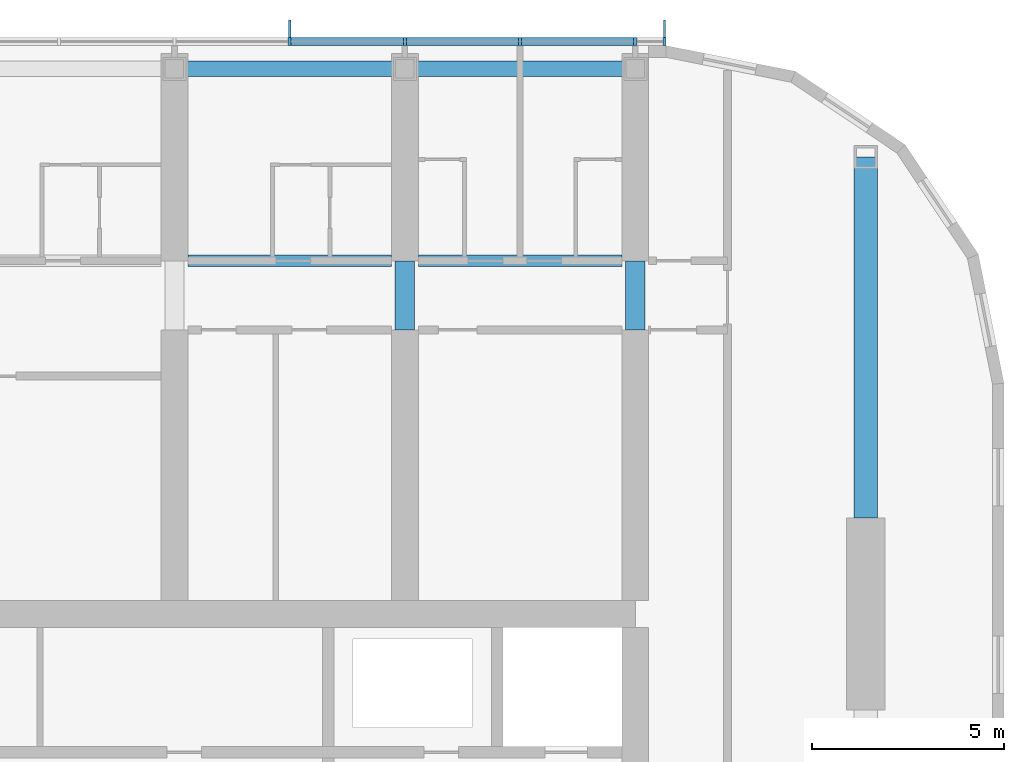
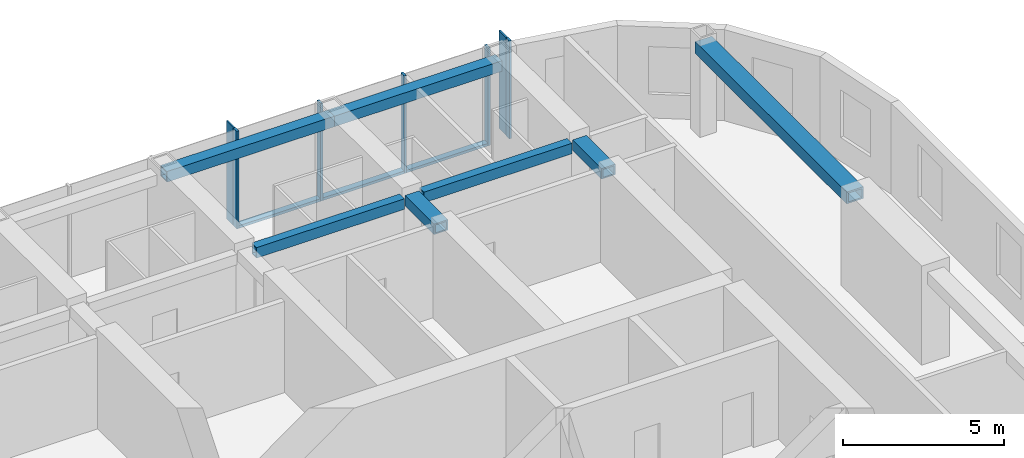
# One storey, part 5 of 23: 10 members, 7 beams, 1 element without a shape of its own.
"""IFC4 building model written with IfcOpenShell, lengths in metres."""

import ifcopenshell
import ifcopenshell.guid

model = None  # the IFC model being written
_history = None  # IfcOwnerHistory: only IFC2X3 demands one
_inside = {}  # id of a spatial element -> (the spatial element, [elements in it])
_under = {}  # id of a project, library or spatial element -> (it, [spatial elements below it])
_declared = {}  # id of a project -> (the project, [libraries it declares])
_typed = {}  # id of a type object -> (the type object, [elements of that type])
_made_of = {}  # id of a material, layer set ... -> (it, [elements and type objects made of it])


def new_model(schema):
    """Start an empty IFC model of exactly this schema.

    Asked for "IFC4X3", IfcOpenShell would pick the latest addendum, in which some entities
    have other attributes; the version numbers below select the first issue.
    IFC2X3 requires an IfcOwnerHistory on every rooted entity: one is made here for all.
    """
    global model, _history
    if schema == "IFC4X3":
        model = ifcopenshell.file(schema_version=(4, 3, 0, 0))
    else:
        model = ifcopenshell.file(schema=schema)
    _inside.clear()
    _under.clear()
    _declared.clear()
    _typed.clear()
    _made_of.clear()
    _history = None
    if model.schema == "IFC2X3":
        org = make("IfcOrganization", Name="unknown")
        user = make(
            "IfcPersonAndOrganization",
            ThePerson=make("IfcPerson", FamilyName="unknown"),
            TheOrganization=org,
        )
        app = make(
            "IfcApplication",
            ApplicationDeveloper=org,
            Version="unknown",
            ApplicationFullName="unknown",
            ApplicationIdentifier="unknown",
        )
        _history = make(
            "IfcOwnerHistory",
            OwningUser=user,
            OwningApplication=app,
            ChangeAction="ADDED",
            CreationDate=0,
        )
    return model


def make(cls, **values):
    """One entity of the class cls with the attributes given. An attribute that is None is left unset."""
    return model.create_entity(
        cls, **{name: value for name, value in values.items() if value is not None}
    )


def rooted(cls, **values):
    """An entity with a GlobalId (a new one), such as an element, a storey or a relation."""
    return make(cls, GlobalId=ifcopenshell.guid.new(), OwnerHistory=_history, **values)


def si_unit(unit_type, name, prefix=None):
    """IfcSIUnit, for example si_unit("LENGTHUNIT", "METRE", prefix="MILLI")."""
    return make("IfcSIUnit", UnitType=unit_type, Prefix=prefix, Name=name)


def assignment(units):
    """IfcUnitAssignment: the units of a project."""
    return None if units is None else make("IfcUnitAssignment", Units=units)


def point(xyz):
    """IfcCartesianPoint."""
    return None if xyz is None else make("IfcCartesianPoint", Coordinates=xyz)


def direction(xyz):
    """IfcDirection."""
    return None if xyz is None else make("IfcDirection", DirectionRatios=xyz)


def frame(location, z_axis=None, x_axis=None):
    """IfcAxis2Placement3D, a coordinate frame: its origin and axes. An axis left out is left unset."""
    return make(
        "IfcAxis2Placement3D",
        Location=point(location),
        Axis=direction(z_axis),
        RefDirection=direction(x_axis),
    )


def frame_2d(location, x_axis=None):
    """IfcAxis2Placement2D, a coordinate frame in the plane: its origin and x axis."""
    return make(
        "IfcAxis2Placement2D", Location=point(location), RefDirection=direction(x_axis)
    )


def origin():
    """The frame at (0, 0, 0) with its axes left unset."""
    return frame((0.0, 0.0, 0.0))


def origin_2d():
    """The frame at (0, 0) in the plane with its x axis left unset."""
    return frame_2d((0.0, 0.0))


def place(relative_to, where):
    """IfcLocalPlacement: puts the frame where relative to a parent placement (None: the world)."""
    return make(
        "IfcLocalPlacement", PlacementRelTo=relative_to, RelativePlacement=where
    )


def context(
    kind, dimensions, precision=None, world=None, true_north=None, identifier=None
):
    """IfcGeometricRepresentationContext, for example the 3D "Model" context."""
    return make(
        "IfcGeometricRepresentationContext",
        ContextIdentifier=identifier,
        ContextType=kind,
        CoordinateSpaceDimension=dimensions,
        Precision=precision,
        WorldCoordinateSystem=world,
        TrueNorth=true_north,
    )


def subcontext(parent, identifier, kind, view, scale=None):
    """IfcGeometricRepresentationSubContext, for example "Body" below "Model"."""
    return make(
        "IfcGeometricRepresentationSubContext",
        ContextIdentifier=identifier,
        ContextType=kind,
        ParentContext=parent,
        TargetScale=scale,
        TargetView=view,
    )


def project(units=None, contexts=None):
    """IfcProject with its units and contexts."""
    return rooted(
        "IfcProject",
        Name="project",
        RepresentationContexts=contexts,
        UnitsInContext=assignment(units),
    )


def spatial(cls, under=None, at=None, **own):
    """A site, building, storey or space (cls), placed at a placement, below another one or the project."""
    s = rooted(cls, ObjectPlacement=at, **own)
    if under is not None:
        _under.setdefault(under.id(), (under, []))[1].append(s)
    return s


def profile(cls, at=None, kind="AREA", **sizes):
    """A parametric profile (cls). Its sizes go by their IFC names, for example OverallWidth=200.0."""
    return make(cls, ProfileType=kind, Position=at, **sizes)


def rectangle(**sizes):
    """IfcRectangleProfileDef."""
    return profile("IfcRectangleProfileDef", **sizes)


def hollow_rectangle(**sizes):
    """IfcRectangleHollowProfileDef."""
    return profile("IfcRectangleHollowProfileDef", **sizes)


def extrude(swept, where, along, depth):
    """IfcExtrudedAreaSolid: the profile swept, set in the frame where, extruded along a direction by depth."""
    return make(
        "IfcExtrudedAreaSolid",
        SweptArea=swept,
        Position=where,
        ExtrudedDirection=direction(along),
        Depth=depth,
    )


def shape(context_of_items, identifier, shape_type, items):
    """IfcShapeRepresentation: the items that make up one representation, for example the "Body"."""
    return make(
        "IfcShapeRepresentation",
        ContextOfItems=context_of_items,
        RepresentationIdentifier=identifier,
        RepresentationType=shape_type,
        Items=items,
    )


def material(Name=None, Category=None):
    """IfcMaterial."""
    return make("IfcMaterial", Name=Name, Category=Category)


def material_profile(
    of_material, cross_section, Name=None, Category=None, Priority=None
):
    """IfcMaterialProfile: a cross section and its material."""
    return make(
        "IfcMaterialProfile",
        Name=Name,
        Material=of_material,
        Profile=cross_section,
        Priority=Priority,
        Category=Category,
    )


def profile_set(profiles, Name=None, composite=None):
    """IfcMaterialProfileSet."""
    return make(
        "IfcMaterialProfileSet",
        Name=Name,
        MaterialProfiles=profiles,
        CompositeProfile=composite,
    )


def made_of(thing, what):
    """Note that an element or type object is made of a material, layer set ...; save() writes the relation."""
    if what is not None:
        _made_of.setdefault(what.id(), (what, []))[1].append(thing)
    return thing


def type_object(cls, material=None, **own):
    """A type object (cls), such as IfcWallType, which elements share."""
    return made_of(rooted(cls, **own), material)


def element(
    cls,
    number,
    at=None,
    inside=None,
    cuts=None,
    type_object=None,
    material=None,
    context=None,
    identifier="Body",
    shape_type=None,
    held_by="IfcProductDefinitionShape",
    body=None,
    shapes=None,
    **own,
):
    """One element of the class cls, such as IfcWall. Its Tag is "e" and its number.

    at: its placement. inside: the storey or other place that contains it. cuts: it is an
    opening in that element (IfcRelVoidsElement). A single representation is given by context,
    identifier, shape_type and body (its items); several are given by shapes. held_by: the class
    of the entity that holds the representations. save() writes the other relations.
    """
    e = rooted(cls, Tag="e%d" % number, ObjectPlacement=at, **own)
    if body is not None:
        shapes = [shape(context, identifier, shape_type, body)]
    if shapes is not None:
        e.Representation = make(held_by, Representations=shapes)
    if inside is not None:
        _inside.setdefault(inside.id(), (inside, []))[1].append(e)
    if cuts is not None:
        rooted(
            "IfcRelVoidsElement", RelatingBuildingElement=cuts, RelatedOpeningElement=e
        )
    if type_object is not None:
        _typed.setdefault(type_object.id(), (type_object, []))[1].append(e)
    return made_of(e, material)


def aggregate(whole, parts):
    """IfcRelAggregates: a whole, such as a stair, and the parts it consists of."""
    return rooted("IfcRelAggregates", RelatingObject=whole, RelatedObjects=parts)


def save(model, path):
    """Write the relations noted so far, then the file.

    IfcRelAggregates (storeys below a building ...), IfcRelContainedInSpatialStructure (elements
    in a storey), IfcRelDefinesByType, IfcRelAssociatesMaterial and IfcRelDeclares: one each for
    every whole, place, type object, material and project.
    """
    for whole, parts in _under.values():
        aggregate(whole, parts)
    for where, things in _inside.values():
        rooted(
            "IfcRelContainedInSpatialStructure",
            RelatedElements=things,
            RelatingStructure=where,
        )
    for kind, things in _typed.values():
        rooted("IfcRelDefinesByType", RelatedObjects=things, RelatingType=kind)
    for what, things in _made_of.values():
        rooted("IfcRelAssociatesMaterial", RelatedObjects=things, RelatingMaterial=what)
    for by, libraries in _declared.values():
        rooted("IfcRelDeclares", RelatingContext=by, RelatedDefinitions=libraries)
    model.write(path)


model = new_model("IFC4")

# Units and contexts
model_context = context("Model", 3, precision=1e-05, world=origin(), true_north=direction((0.0, 1.0)))
body_context = subcontext(model_context, "Body", "Model", "MODEL_VIEW")
ifc_project = project(units=[si_unit("LENGTHUNIT", "METRE"), si_unit("AREAUNIT", "SQUARE_METRE"), si_unit("VOLUMEUNIT", "CUBIC_METRE"), si_unit("PLANEANGLEUNIT", "RADIAN"), si_unit("MASSUNIT", "GRAM", prefix="KILO")], contexts=[model_context])

# Site, building, storey
site_placement = place(None, origin())
site = spatial("IfcSite", under=ifc_project, at=site_placement, CompositionType="ELEMENT")
building_placement = place(site_placement, origin())
building = spatial("IfcBuilding", under=site, at=building_placement, Name="Orbita Commons", CompositionType="ELEMENT")
storey_placement = place(building_placement, frame((0.0, 0.0, 254.050048828125)))
storey = spatial("IfcBuildingStorey", under=building, at=storey_placement, Name="L63", CompositionType="ELEMENT", Elevation=254.050048828125)

# Curtain wall, members
ifc_material_1 = material(Name="Anodised aluminium frame, pale silver", Category="aluminium")
curtain_wall_type = type_object("IfcCurtainWallType", Name="Unitised curtain wall CW-U, full-height vision", PredefinedType="NOTDEFINED", material=ifc_material_1)
curtain_wall_placement = place(storey_placement, origin())
curtain_wall = element("IfcCurtainWall", 1, at=curtain_wall_placement, inside=storey, type_object=curtain_wall_type, Name="Curtain wall north L63", PredefinedType="NOTDEFINED")
ifc_material_2 = material(Name="Anodised aluminium, pale silver", Category="aluminium")
ifc_material_profile_1 = material_profile(ifc_material_2, rectangle(XDim=0.080078125, YDim=0.219970703125, at=origin_2d()), Name="AL 80x220")
ifc_profile_set_1 = profile_set([ifc_material_profile_1], Name="Anodised aluminium, pale silver")
member_type_1 = type_object("IfcMemberType", Name="Curtain wall mullion 80x220", PredefinedType="MULLION", material=ifc_profile_set_1)
member_1_placement = place(storey_placement, frame((66.760009765625, 53.110107421875, -0.25), z_axis=(0.0, 0.0, 1.0), x_axis=(-1.0, 0.0, 0.0)))
member_1 = element("IfcMember", 2, at=member_1_placement, type_object=member_type_1, Name="Mullion 1 CW-L63-N", PredefinedType="MULLION", context=body_context, shape_type="SweptSolid", body=[
    extrude(rectangle(XDim=0.080078125, YDim=0.219970703125, at=origin_2d()), origin(), (0.0, 0.0, 1.0), 3.699951171875),
])
member_2_placement = place(storey_placement, frame((66.0, 53.110107421875, -0.25), z_axis=(0.0, 0.0, 1.0), x_axis=(-1.0, 0.0, 0.0)))
member_2 = element("IfcMember", 3, at=member_2_placement, type_object=member_type_1, Name="Mullion 2 CW-L63-N", PredefinedType="MULLION", context=body_context, shape_type="SweptSolid", body=[
    extrude(rectangle(XDim=0.080078125, YDim=0.219970703125, at=origin_2d()), origin(), (0.0, 0.0, 1.0), 3.699951171875),
])
member_3_placement = place(storey_placement, frame((63.0, 53.110107421875, -0.25), z_axis=(0.0, 0.0, 1.0), x_axis=(-1.0, 0.0, 0.0)))
member_3 = element("IfcMember", 4, at=member_3_placement, type_object=member_type_1, Name="Mullion 3 CW-L63-N", PredefinedType="MULLION", context=body_context, shape_type="SweptSolid", body=[
    extrude(rectangle(XDim=0.080078125, YDim=0.219970703125, at=origin_2d()), origin(), (0.0, 0.0, 1.0), 3.699951171875),
])
member_4_placement = place(storey_placement, frame((60.0, 53.110107421875, -0.25), z_axis=(0.0, 0.0, 1.0), x_axis=(-1.0, 0.0, 0.0)))
member_4 = element("IfcMember", 5, at=member_4_placement, type_object=member_type_1, Name="Mullion 4 CW-L63-N", PredefinedType="MULLION", context=body_context, shape_type="SweptSolid", body=[
    extrude(rectangle(XDim=0.080078125, YDim=0.219970703125, at=origin_2d()), origin(), (0.0, 0.0, 1.0), 3.699951171875),
])
member_5_placement = place(storey_placement, frame((57.0, 53.110107421875, -0.25), z_axis=(0.0, 0.0, 1.0), x_axis=(-1.0, 0.0, 0.0)))
member_5 = element("IfcMember", 6, at=member_5_placement, type_object=member_type_1, Name="Mullion 5 CW-L63-N", PredefinedType="MULLION", context=body_context, shape_type="SweptSolid", body=[
    extrude(rectangle(XDim=0.080078125, YDim=0.219970703125, at=origin_2d()), origin(), (0.0, 0.0, 1.0), 3.699951171875),
])
ifc_material_3 = material(Name="Anodised aluminium, pale silver", Category="aluminium")
ifc_material_profile_2 = material_profile(ifc_material_3, rectangle(XDim=0.219970703125, YDim=0.10009765625, at=origin_2d()), Name="AL 220x100")
ifc_profile_set_2 = profile_set([ifc_material_profile_2], Name="Anodised aluminium, pale silver")
member_type_2 = type_object("IfcMemberType", Name="Curtain wall stack transom 220x100", PredefinedType="USERDEFINED", material=ifc_profile_set_2)
member_6_placement = place(storey_placement, frame((65.9599609375, 53.110107421875, -0.199951171875), z_axis=(-1.0, 0.0, 0.0), x_axis=(0.0, -1.0, 0.0)))
member_6 = element("IfcMember", 7, at=member_6_placement, type_object=member_type_2, Name="Transom 2.1 CW-L63-N", ObjectType="TRANSOM", PredefinedType="USERDEFINED", context=body_context, shape_type="SweptSolid", body=[
    extrude(rectangle(XDim=0.219970703125, YDim=0.10009765625, at=origin_2d()), origin(), (0.0, 0.0, 1.0), 2.919921875),
])
member_7_placement = place(storey_placement, frame((62.9599609375, 53.110107421875, -0.199951171875), z_axis=(-1.0, 0.0, 0.0), x_axis=(0.0, -1.0, 0.0)))
member_7 = element("IfcMember", 8, at=member_7_placement, type_object=member_type_2, Name="Transom 3.1 CW-L63-N", ObjectType="TRANSOM", PredefinedType="USERDEFINED", context=body_context, shape_type="SweptSolid", body=[
    extrude(rectangle(XDim=0.219970703125, YDim=0.10009765625, at=origin_2d()), origin(), (0.0, 0.0, 1.0), 2.919921875),
])
member_8_placement = place(storey_placement, frame((59.9599609375, 53.110107421875, -0.199951171875), z_axis=(-1.0, 0.0, 0.0), x_axis=(0.0, -1.0, 0.0)))
member_8 = element("IfcMember", 9, at=member_8_placement, type_object=member_type_2, Name="Transom 4.1 CW-L63-N", ObjectType="TRANSOM", PredefinedType="USERDEFINED", context=body_context, shape_type="SweptSolid", body=[
    extrude(rectangle(XDim=0.219970703125, YDim=0.10009765625, at=origin_2d()), origin(), (0.0, 0.0, 1.0), 2.919921875),
])

# Beams
ifc_material_4 = material(Name="Steel ASTM A572 Gr 50 welded plate", Category="steel")
ifc_material_profile_3 = material_profile(ifc_material_4, hollow_rectangle(XDim=0.300048828125, YDim=0.39990234375, WallThickness=0.0400390625, at=origin_2d()), Name="BOX 400x300x40")
ifc_profile_set_3 = profile_set([ifc_material_profile_3], Name="Steel ASTM A572 Gr 50 welded plate")
beam_type_1 = type_object("IfcBeamType", Name="Steel corridor link BOX 400x300x40", PredefinedType="BEAM", material=ifc_profile_set_3)
for number, where, z_axis, x_axis, name in (
    (10, (54.35009765625, 47.39990234375, 3.25), (1.0, 0.0, 0.0), (0.0, 1.0, 0.0), "Corridor beam NB 10-11 L63"),
    (11, (60.35009765625, 47.39990234375, 3.25), (1.0, 0.0, 0.0), (0.0, 1.0, 0.0), "Corridor beam NB 11-12 L63"),
):
    element("IfcBeam", number, at=place(storey_placement, frame(where, z_axis=z_axis, x_axis=x_axis)), inside=storey, type_object=beam_type_1, Name=name, PredefinedType="BEAM", context=body_context, shape_type="SweptSolid", body=[
        extrude(hollow_rectangle(XDim=0.300048828125, YDim=0.39990234375, WallThickness=0.0400390625, at=origin_2d()), origin(), (0.0, 0.0, 1.0), 5.2998046875),
    ])
ifc_material_5 = material(Name="Steel ASTM A572 Gr 50 welded plate", Category="steel")
ifc_material_profile_4 = material_profile(ifc_material_5, hollow_rectangle(XDim=0.5, YDim=0.39990234375, WallThickness=0.050048828125, at=origin_2d()), Name="BOX 400x500x50")
ifc_profile_set_4 = profile_set([ifc_material_profile_4], Name="Steel ASTM A572 Gr 50 welded plate")
beam_type_2 = type_object("IfcBeamType", Name="Steel coupling link BOX 400x500x50", PredefinedType="LINTEL", material=ifc_profile_set_4)
for number, where, z_axis, x_axis, name in (
    (12, (60.0, 45.60009765625, 3.25), (0.0, 1.0, 0.0), (-1.0, 0.0, 0.0), "Coupling beam 11 north L63"),
    (13, (66.0, 45.60009765625, 3.25), (0.0, 1.0, 0.0), (-1.0, 0.0, 0.0), "Coupling beam 12 north L63"),
):
    element("IfcBeam", number, at=place(storey_placement, frame(where, z_axis=z_axis, x_axis=x_axis)), inside=storey, type_object=beam_type_2, Name=name, PredefinedType="LINTEL", context=body_context, shape_type="SweptSolid", body=[
        extrude(hollow_rectangle(XDim=0.5, YDim=0.39990234375, WallThickness=0.050048828125, at=origin_2d()), origin(), (0.0, 0.0, 1.0), 1.7998046875),
    ])
ifc_material_6 = material(Name="Steel ASTM A572 Gr 50 welded plate", Category="steel")
ifc_material_profile_5 = material_profile(ifc_material_6, hollow_rectangle(XDim=0.60009765625, YDim=0.449951171875, WallThickness=0.06005859375, at=origin_2d()), Name="BOX 450x600x60")
ifc_profile_set_5 = profile_set([ifc_material_profile_5], Name="Steel ASTM A572 Gr 50 welded plate")
beam_type_3 = type_object("IfcBeamType", Name="Steel end frame link BOX 450x600x60", PredefinedType="BEAM", material=ifc_profile_set_5)
beam_placement = place(storey_placement, frame((72.0, 40.699951171875, 3.224853515625), z_axis=(0.0, 1.0, 0.0), x_axis=(-1.0, 0.0, 0.0)))
element("IfcBeam", 14, at=beam_placement, inside=storey, type_object=beam_type_3, Name="End frame beam 13 D-E L63", PredefinedType="BEAM", context=body_context, shape_type="SweptSolid", body=[
    extrude(hollow_rectangle(XDim=0.60009765625, YDim=0.449951171875, WallThickness=0.06005859375, at=origin_2d()), origin(), (0.0, 0.0, 1.0), 9.400146484375),
])
ifc_material_7 = material(Name="Steel ASTM A572 Gr 50 welded plate", Category="steel")
ifc_material_profile_6 = material_profile(ifc_material_7, hollow_rectangle(XDim=0.39990234375, YDim=0.39990234375, WallThickness=0.0400390625, at=origin_2d()), Name="BOX 400x400x40")
ifc_profile_set_6 = profile_set([ifc_material_profile_6], Name="Steel ASTM A572 Gr 50 welded plate")
beam_type_4 = type_object("IfcBeamType", Name="Steel spandrel BOX 400x400x40", PredefinedType="SPANDREL", material=ifc_profile_set_6)
for number, where, z_axis, x_axis, name in (
    (15, (54.0, 52.39990234375, 3.25), (1.0, 0.0, 0.0), (0.0, 1.0, 0.0), "Spandrel beam E 10-11 L63"),
    (16, (60.0, 52.39990234375, 3.25), (1.0, 0.0, 0.0), (0.0, 1.0, 0.0), "Spandrel beam E 11-12 L63"),
):
    element("IfcBeam", number, at=place(storey_placement, frame(where, z_axis=z_axis, x_axis=x_axis)), inside=storey, type_object=beam_type_4, Name=name, PredefinedType="SPANDREL", context=body_context, shape_type="SweptSolid", body=[
        extrude(hollow_rectangle(XDim=0.39990234375, YDim=0.39990234375, WallThickness=0.0400390625, at=origin_2d()), origin(), (0.0, 0.0, 1.0), 6.0),
    ])

# Member
ifc_material_8 = material(Name="Anodised aluminium, pale silver", Category="aluminium")
ifc_material_profile_7 = material_profile(ifc_material_8, rectangle(XDim=0.06005859375, YDim=0.449951171875, at=origin_2d()), Name="FIN 60x450")
ifc_profile_set_7 = profile_set([ifc_material_profile_7], Name="Anodised aluminium, pale silver")
member_type_3 = type_object("IfcMemberType", Name="Vertical fin 60x450 pale aluminium", PredefinedType="USERDEFINED", material=ifc_profile_set_7)
member_9_placement = place(storey_placement, frame((66.760009765625, 53.445068359375, -0.25), z_axis=(0.0, 0.0, 1.0), x_axis=(-1.0, 0.0, 0.0)))
member_9 = element("IfcMember", 17, at=member_9_placement, type_object=member_type_3, Name="Fin 1 CW-L63-N", ObjectType="FIN", PredefinedType="USERDEFINED", context=body_context, shape_type="SweptSolid", body=[
    extrude(rectangle(XDim=0.06005859375, YDim=0.449951171875, at=origin_2d()), origin(), (0.0, 0.0, 1.0), 3.699951171875),
])

member_10_placement = place(storey_placement, frame((57.0, 53.445068359375, -0.25), z_axis=(0.0, 0.0, 1.0), x_axis=(-1.0, 0.0, 0.0)))
member_10 = element("IfcMember", 18, at=member_10_placement, type_object=member_type_3, Name="Fin 5 CW-L63-N", ObjectType="FIN", PredefinedType="USERDEFINED", context=body_context, shape_type="SweptSolid", body=[
    extrude(rectangle(XDim=0.06005859375, YDim=0.449951171875, at=origin_2d()), origin(), (0.0, 0.0, 1.0), 3.699951171875),
])

aggregate(curtain_wall, [member_1, member_9, member_2, member_3, member_4, member_5, member_10, member_6, member_7, member_8])

save(model, "model.ifc")
